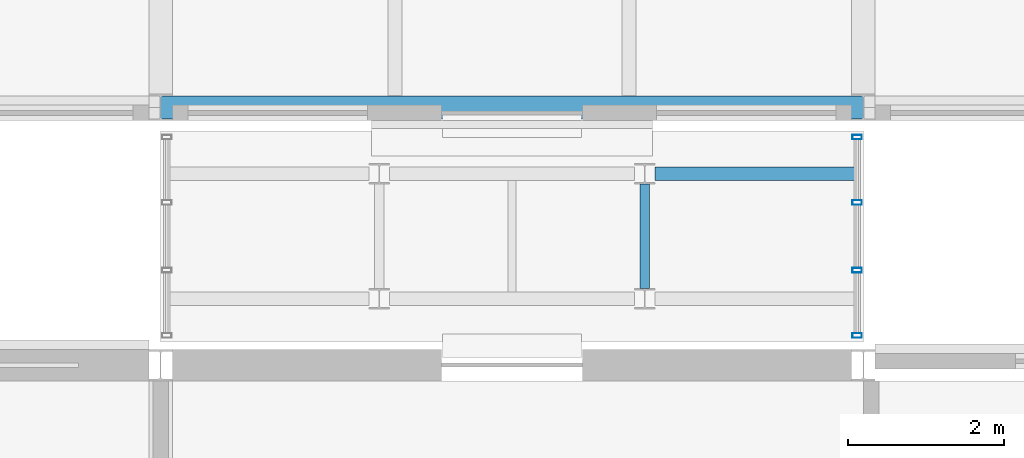
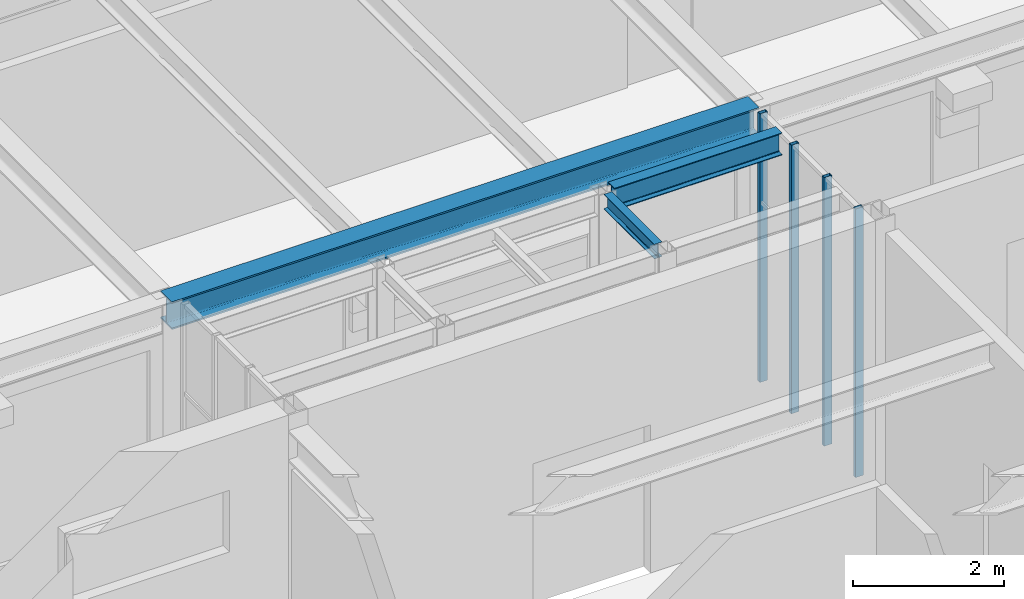
# One storey, part 32 of 153: 4 members, 3 beams, 1 element without a shape of its own.
"""IFC4 building model written with IfcOpenShell, lengths in metres."""

from ifc_helpers import new_model, si_unit, direction, frame, origin, origin_2d, place, context, subcontext, project, spatial, hollow_rectangle, i_section, extrude, material, material_profile, profile_set, type_object, element, aggregate, save


model = new_model("IFC4")

# Units and contexts
model_context = context("Model", 3, precision=1e-05, world=origin(), true_north=direction((0.0, 1.0)))
body_context = subcontext(model_context, "Body", "Model", "MODEL_VIEW")
ifc_project = project(units=[si_unit("LENGTHUNIT", "METRE"), si_unit("AREAUNIT", "SQUARE_METRE"), si_unit("VOLUMEUNIT", "CUBIC_METRE"), si_unit("PLANEANGLEUNIT", "RADIAN"), si_unit("MASSUNIT", "GRAM", prefix="KILO")], contexts=[model_context])

# Site, building, storey
site_placement = place(None, origin())
site = spatial("IfcSite", under=ifc_project, at=site_placement, CompositionType="ELEMENT")
building_placement = place(site_placement, origin())
building = spatial("IfcBuilding", under=site, at=building_placement, Name="Kallimachos Central Library", CompositionType="ELEMENT")
storey_placement = place(building_placement, frame((0.0, 0.0, 5.39990234375)))
storey = spatial("IfcBuildingStorey", under=building, at=storey_placement, Name="L01", CompositionType="ELEMENT", Elevation=5.39990234375)

# Curtain wall, members
ifc_material_1 = material(Name="Aluminium and laminated glass", Category="aluminium")
curtain_wall_type = type_object("IfcCurtainWallType", Name="Link glazed wall", PredefinedType="NOTDEFINED", material=ifc_material_1)
curtain_wall_placement = place(storey_placement, origin())
curtain_wall = element("IfcCurtainWall", 1, at=curtain_wall_placement, inside=storey, type_object=curtain_wall_type, Name="Stacks Link glazed wall L01", PredefinedType="NOTDEFINED")
ifc_material_2 = material(Name="Anodised aluminium", Category="aluminium")
ifc_material_profile_1 = material_profile(ifc_material_2, hollow_rectangle(XDim=0.06005859375, YDim=0.1201171875, WallThickness=0.00390625, at=origin_2d()), Name="ALU MULLION 60x120")
ifc_profile_set_1 = profile_set([ifc_material_profile_1], Name="Anodised aluminium")
member_type = type_object("IfcMemberType", Name="ALU MULLION 60x120 mullion", PredefinedType="MULLION", material=ifc_profile_set_1)
member_1_placement = place(storey_placement, frame((92.419921875, 45.22998046875, 0.0), z_axis=(0.0, 0.0, 1.0), x_axis=(0.0, 1.0, 0.0)))
member_1 = element("IfcMember", 2, at=member_1_placement, type_object=member_type, Name="CW61 mullion 1", PredefinedType="MULLION", context=body_context, shape_type="SweptSolid", body=[
    extrude(hollow_rectangle(XDim=0.06005859375, YDim=0.1201171875, WallThickness=0.00390625, at=origin_2d()), origin(), (0.0, 0.0, 1.0), 4.35009765625),
])
member_2_placement = place(storey_placement, frame((92.419921875, 46.066650390625, 0.0), z_axis=(0.0, 0.0, 1.0), x_axis=(0.0, 1.0, 0.0)))
member_2 = element("IfcMember", 3, at=member_2_placement, type_object=member_type, Name="CW61 mullion 2", PredefinedType="MULLION", context=body_context, shape_type="SweptSolid", body=[
    extrude(hollow_rectangle(XDim=0.06005859375, YDim=0.1201171875, WallThickness=0.00390625, at=origin_2d()), origin(), (0.0, 0.0, 1.0), 4.35009765625),
])
member_3_placement = place(storey_placement, frame((92.419921875, 46.933349609375, 0.0), z_axis=(0.0, 0.0, 1.0), x_axis=(0.0, 1.0, 0.0)))
member_3 = element("IfcMember", 4, at=member_3_placement, type_object=member_type, Name="CW61 mullion 3", PredefinedType="MULLION", context=body_context, shape_type="SweptSolid", body=[
    extrude(hollow_rectangle(XDim=0.06005859375, YDim=0.1201171875, WallThickness=0.00390625, at=origin_2d()), origin(), (0.0, 0.0, 1.0), 4.35009765625),
])
member_4_placement = place(storey_placement, frame((92.419921875, 47.77001953125, 0.0), z_axis=(0.0, 0.0, 1.0), x_axis=(0.0, 1.0, 0.0)))
member_4 = element("IfcMember", 5, at=member_4_placement, type_object=member_type, Name="CW61 mullion 4", PredefinedType="MULLION", context=body_context, shape_type="SweptSolid", body=[
    extrude(hollow_rectangle(XDim=0.06005859375, YDim=0.1201171875, WallThickness=0.00390625, at=origin_2d()), origin(), (0.0, 0.0, 1.0), 4.35009765625),
])
aggregate(curtain_wall, [member_1, member_2, member_3, member_4])

# Beams
ifc_material_3 = material(Name="Steel S355J2", Category="steel")
ifc_material_profile_2 = material_profile(ifc_material_3, i_section(OverallWidth=0.300048828125, OverallDepth=0.449951171875, WebThickness=0.013916015625, FlangeThickness=0.02587890625, FilletRadius=0.027099609375, at=origin_2d()), Name="HEB 450")
ifc_profile_set_2 = profile_set([ifc_material_profile_2], Name="Steel S355J2")
beam_type_1 = type_object("IfcBeamType", Name="HEB 450 beam", PredefinedType="BEAM", material=ifc_profile_set_2)
beam_1_placement = place(storey_placement, frame((83.5, 48.14990234375, 4.025146484375), z_axis=(1.0, 0.0, 0.0), x_axis=(0.0, 1.0, 0.0)))
element("IfcBeam", 6, at=beam_1_placement, inside=storey, type_object=beam_type_1, Name="V4-BEM-L01-043", PredefinedType="BEAM", context=body_context, shape_type="SweptSolid", body=[
    extrude(i_section(OverallWidth=0.300048828125, OverallDepth=0.449951171875, WebThickness=0.013916015625, FlangeThickness=0.02587890625, FilletRadius=0.027099609375, at=origin_2d()), origin(), (0.0, 0.0, 1.0), 9.0),
])
ifc_material_4 = material(Name="Steel S355J2", Category="steel")
ifc_material_profile_3 = material_profile(ifc_material_4, i_section(OverallWidth=0.1201171875, OverallDepth=0.239990234375, WebThickness=0.006103515625, FlangeThickness=0.009765625, FilletRadius=0.014892578125, at=origin_2d()), Name="IPE 240")
ifc_profile_set_3 = profile_set([ifc_material_profile_3], Name="Steel S355J2")
beam_type_2 = type_object("IfcBeamType", Name="IPE 240 beam", PredefinedType="BEAM", material=ifc_profile_set_3)
beam_2_placement = place(storey_placement, frame((89.699951171875, 45.830078125, 4.22998046875), z_axis=(0.0, 1.0, 0.0), x_axis=(-1.0, 0.0, 0.0)))
element("IfcBeam", 7, at=beam_2_placement, inside=storey, type_object=beam_type_2, Name="links-BEM-L01-009", PredefinedType="BEAM", context=body_context, shape_type="SweptSolid", body=[
    extrude(i_section(OverallWidth=0.1201171875, OverallDepth=0.239990234375, WebThickness=0.006103515625, FlangeThickness=0.009765625, FilletRadius=0.014892578125, at=origin_2d()), origin(), (0.0, 0.0, 1.0), 1.33984375),
])
ifc_material_5 = material(Name="Steel S355J2", Category="steel")
ifc_material_profile_4 = material_profile(ifc_material_5, i_section(OverallWidth=0.169921875, OverallDepth=0.360107421875, WebThickness=0.008056640625, FlangeThickness=0.0126953125, FilletRadius=0.01806640625, at=origin_2d()), Name="IPE 360")
ifc_profile_set_4 = profile_set([ifc_material_profile_4], Name="Steel S355J2")
beam_type_3 = type_object("IfcBeamType", Name="IPE 360 beam", PredefinedType="BEAM", material=ifc_profile_set_4)
beam_3_placement = place(storey_placement, frame((89.830078125, 47.300048828125, 4.170166015625), z_axis=(1.0, 0.0, 0.0), x_axis=(0.0, 1.0, 0.0)))
element("IfcBeam", 8, at=beam_3_placement, inside=storey, type_object=beam_type_3, Name="links-BEM-L01-006", PredefinedType="BEAM", context=body_context, shape_type="SweptSolid", body=[
    extrude(i_section(OverallWidth=0.169921875, OverallDepth=0.360107421875, WebThickness=0.008056640625, FlangeThickness=0.0126953125, FilletRadius=0.01806640625, at=origin_2d()), origin(), (0.0, 0.0, 1.0), 2.56982421875),
])

save(model, "model.ifc")
